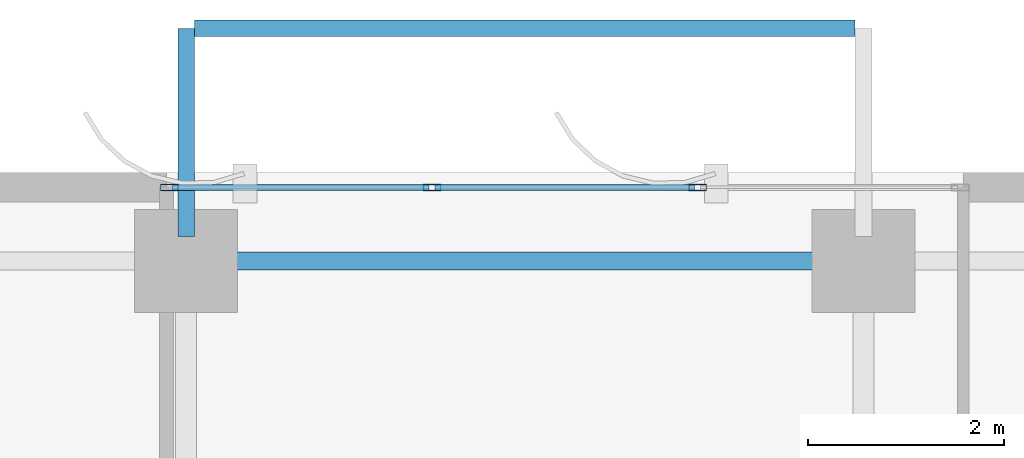
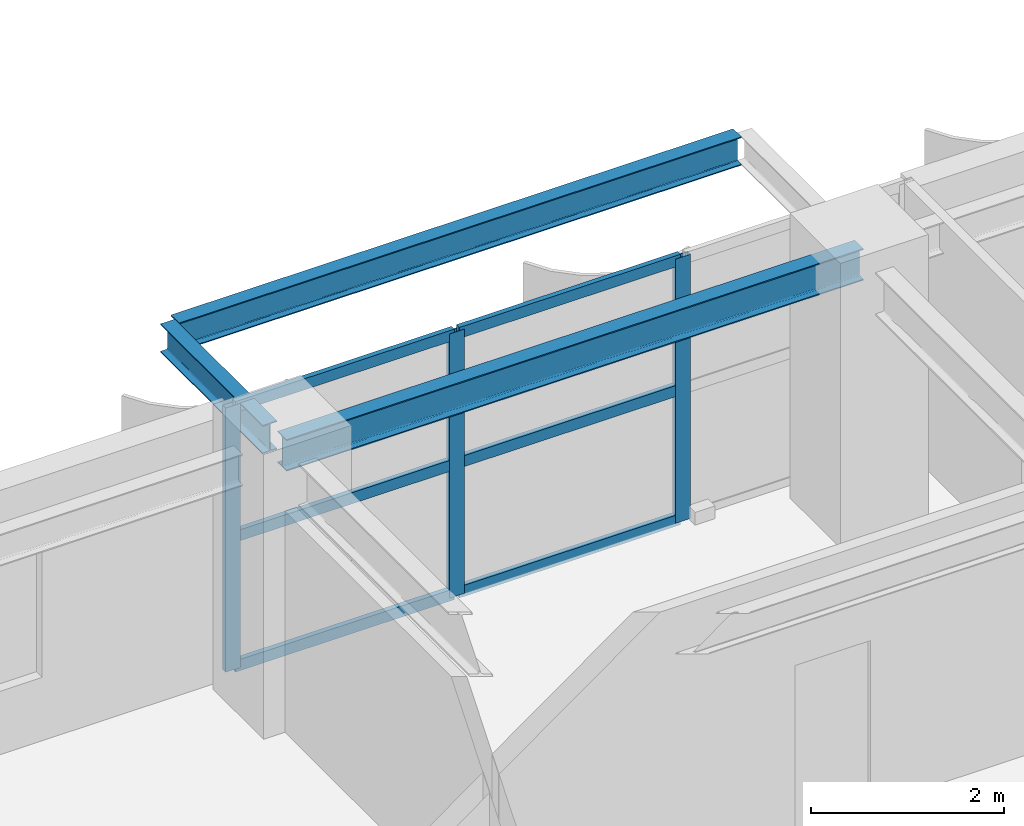
# One storey, part 11 of 23: 9 members, 3 beams, 1 element without a shape of its own.
"""IFC4 building model written with IfcOpenShell, lengths in metres."""

from ifc_helpers import new_model, si_unit, direction, frame, origin, origin_2d, place, context, subcontext, project, spatial, hollow_rectangle, i_section, extrude, source, transform, mapped, material, layer, layer_set, material_profile, profile_set, type_object, element, aggregate, save


model = new_model("IFC4")

# Units and contexts
model_context = context("Model", 3, precision=1e-05, world=origin(), true_north=direction((0.0, 1.0)))
body_context = subcontext(model_context, "Body", "Model", "MODEL_VIEW")
ifc_project = project(units=[si_unit("LENGTHUNIT", "METRE"), si_unit("AREAUNIT", "SQUARE_METRE"), si_unit("VOLUMEUNIT", "CUBIC_METRE"), si_unit("PLANEANGLEUNIT", "RADIAN"), si_unit("MASSUNIT", "GRAM", prefix="KILO")], contexts=[model_context])

# Site, building, storey
site_placement = place(None, origin())
site = spatial("IfcSite", under=ifc_project, at=site_placement, CompositionType="ELEMENT")
building_placement = place(site_placement, origin())
building = spatial("IfcBuilding", under=site, at=building_placement, Name="Khoralis Quay Care Tower", CompositionType="ELEMENT")
storey_placement = place(building_placement, frame((0.0, 0.0, 119.699951171875)))
storey = spatial("IfcBuildingStorey", under=building, at=storey_placement, Name="L31", CompositionType="ELEMENT", Elevation=119.699951171875)

# Beams
ifc_material_1 = material(Name="Steel S355", Category="steel")
ifc_material_profile_1 = material_profile(ifc_material_1, i_section(OverallWidth=0.179931640625, OverallDepth=0.39990234375, WebThickness=0.008544921875, FlangeThickness=0.013427734375, FilletRadius=0.02099609375, at=origin_2d()), Name="Steel S355")
ifc_profile_set_1 = profile_set([ifc_material_profile_1], Name="Steel S355")
beam_type_1 = type_object("IfcBeamType", Name="BM-IPE400", PredefinedType="SPANDREL", material=ifc_profile_set_1)
shared_shape_1 = source(origin(), body_context, "Body", "SweptSolid", [
    extrude(i_section(OverallWidth=0.179931640625, OverallDepth=0.39990234375, WebThickness=0.008544921875, FlangeThickness=0.013427734375, FilletRadius=0.02099609375, at=origin_2d()), origin(), (0.0, 0.0, 1.0), 6.89990234375),
])
beam_1_placement = place(storey_placement, frame((17.10009765625, 44.10009765625, 3.14013671875), z_axis=(1.0, 0.0, 0.0), x_axis=(0.0, 1.0, 0.0)))
element("IfcBeam", 1, at=beam_1_placement, inside=storey, type_object=beam_type_1, Name="BM-TSP-L31-08", PredefinedType="SPANDREL", context=body_context, shape_type="MappedRepresentation", body=[
    mapped(shared_shape_1, transform((0.0, 0.0, 0.0), scale=1.0)),
])
ifc_material_profile_2 = material_profile(ifc_material_1, i_section(OverallWidth=0.169921875, OverallDepth=0.360107421875, WebThickness=0.008056640625, FlangeThickness=0.0126953125, FilletRadius=0.01806640625, at=origin_2d()), Name="Steel S355")
ifc_profile_set_2 = profile_set([ifc_material_profile_2], Name="Steel S355")
beam_type_2 = type_object("IfcBeamType", Name="BM-IPE360", PredefinedType="SPANDREL", material=ifc_profile_set_2)
shared_shape_2 = source(origin(), body_context, "Body", "SweptSolid", [
    extrude(i_section(OverallWidth=0.169921875, OverallDepth=0.360107421875, WebThickness=0.008056640625, FlangeThickness=0.0126953125, FilletRadius=0.01806640625, at=origin_2d()), origin(), (0.0, 0.0, 1.0), 2.119873046875),
])
beam_2_placement = place(storey_placement, frame((17.10009765625, 44.35009765625, 3.1640625), z_axis=(0.0, 1.0, 0.0), x_axis=(-1.0, 0.0, 0.0)))
element("IfcBeam", 2, at=beam_2_placement, inside=storey, type_object=beam_type_2, Name="L32 Balcony Cantilever Outrigger Beam 1", PredefinedType="SPANDREL", context=body_context, shape_type="MappedRepresentation", body=[
    mapped(shared_shape_2, transform((0.0, 0.0, 0.0), scale=1.0)),
])
shared_shape_3 = source(origin(), body_context, "Body", "SweptSolid", [
    extrude(i_section(OverallWidth=0.169921875, OverallDepth=0.360107421875, WebThickness=0.008056640625, FlangeThickness=0.0126953125, FilletRadius=0.01806640625, at=origin_2d()), origin(), (0.0, 0.0, 1.0), 6.72412109375),
])
beam_3_placement = place(storey_placement, frame((17.18798828125, 46.469970703125, 3.1640625), z_axis=(1.0, 0.0, 0.0), x_axis=(0.0, 1.0, 0.0)))
element("IfcBeam", 3, at=beam_3_placement, inside=storey, type_object=beam_type_2, Name="L32 Balcony Edge Spandrel Beam P1E10", PredefinedType="SPANDREL", context=body_context, shape_type="MappedRepresentation", body=[
    mapped(shared_shape_3, transform((0.0, 0.0, 0.0), scale=1.0)),
])

# Curtain wall, members
ifc_material_2 = material(Name="Pale anodised aluminium", Category="aluminium")
ifc_layer = layer(ifc_material_2, 0.169921875)
ifc_layer_set = layer_set([ifc_layer], Name="Pale anodised aluminium")
curtain_wall_type = type_object("IfcCurtainWallType", Name="CW-SYS-Z2", PredefinedType="NOTDEFINED", material=ifc_layer_set)
curtain_wall_placement = place(storey_placement, origin())
curtain_wall = element("IfcCurtainWall", 4, at=curtain_wall_placement, inside=storey, type_object=curtain_wall_type, Name="L31 Unitised Curtain Wall CW-L31-P1-E10", PredefinedType="NOTDEFINED")
ifc_material_profile_3 = material_profile(ifc_material_2, hollow_rectangle(XDim=0.06494140625, YDim=0.179931640625, WallThickness=0.00390625, at=origin_2d()), Name="Pale anodised aluminium")
ifc_profile_set_3 = profile_set([ifc_material_profile_3], Name="Pale anodised aluminium")
member_type_1 = type_object("IfcMemberType", Name="CW-MUL-180", PredefinedType="MULLION", material=ifc_profile_set_3)
shared_shape_4 = source(origin(), body_context, "Body", "SweptSolid", [
    extrude(hollow_rectangle(XDim=0.06494140625, YDim=0.179931640625, WallThickness=0.00390625, at=origin_2d()), origin(), (0.0, 0.0, 1.0), 3.340087890625),
])
member_1_placement = place(storey_placement, frame((22.311279296875, 44.85009765625, 0.0), z_axis=(0.0, 0.0, 1.0), x_axis=(0.0, -1.0, 0.0)))
member_1 = element("IfcMember", 5, at=member_1_placement, type_object=member_type_1, Name="CW2 mullion 2", PredefinedType="MULLION", context=body_context, shape_type="MappedRepresentation", body=[
    mapped(shared_shape_4, transform((0.0, 0.0, 0.0), scale=1.0)),
])
member_2_placement = place(storey_placement, frame((19.605712890625, 44.85009765625, 0.0), z_axis=(0.0, 0.0, 1.0), x_axis=(0.0, -1.0, 0.0)))
member_2 = element("IfcMember", 6, at=member_2_placement, type_object=member_type_1, Name="CW2 mullion 3", PredefinedType="MULLION", context=body_context, shape_type="MappedRepresentation", body=[
    mapped(shared_shape_4, transform((0.0, 0.0, 0.0), scale=1.0)),
])
member_3_placement = place(storey_placement, frame((16.929931640625, 44.85009765625, 0.0), z_axis=(0.0, 0.0, 1.0), x_axis=(0.0, -1.0, 0.0)))
member_3 = element("IfcMember", 7, at=member_3_placement, type_object=member_type_1, Name="CW2 mullion 4", PredefinedType="MULLION", context=body_context, shape_type="MappedRepresentation", body=[
    mapped(shared_shape_4, transform((0.0, 0.0, 0.0), scale=1.0)),
])
ifc_material_profile_4 = material_profile(ifc_material_2, hollow_rectangle(XDim=0.06005859375, YDim=0.139892578125, WallThickness=0.00390625, at=origin_2d()), Name="Pale anodised aluminium")
ifc_profile_set_4 = profile_set([ifc_material_profile_4], Name="Pale anodised aluminium")
member_type_2 = type_object("IfcMemberType", Name="CW-TRN-140", PredefinedType="USERDEFINED", material=ifc_profile_set_4)
shared_shape_5 = source(origin(), body_context, "Body", "SweptSolid", [
    extrude(hollow_rectangle(XDim=0.06005859375, YDim=0.139892578125, WallThickness=0.00390625, at=origin_2d()), origin(), (0.0, 0.0, 1.0), 2.61572265625),
])
member_4_placement = place(storey_placement, frame((19.57568359375, 44.85009765625, 0.030029296875), z_axis=(-1.0, 0.0, 0.0), x_axis=(0.0, -1.0, 0.0)))
member_4 = element("IfcMember", 8, at=member_4_placement, type_object=member_type_2, Name="CW2 transom 3.1", ObjectType="TRANSOM", PredefinedType="USERDEFINED", context=body_context, shape_type="MappedRepresentation", body=[
    mapped(shared_shape_5, transform((0.0, 0.0, 0.0), scale=1.0)),
])
member_5_placement = place(storey_placement, frame((19.57568359375, 44.85009765625, 1.670166015625), z_axis=(-1.0, 0.0, 0.0), x_axis=(0.0, -1.0, 0.0)))
member_5 = element("IfcMember", 9, at=member_5_placement, type_object=member_type_2, Name="CW2 transom 3.2", ObjectType="TRANSOM", PredefinedType="USERDEFINED", context=body_context, shape_type="MappedRepresentation", body=[
    mapped(shared_shape_5, transform((0.0, 0.0, 0.0), scale=1.0)),
])
member_6_placement = place(storey_placement, frame((19.57568359375, 44.85009765625, 3.31005859375), z_axis=(-1.0, 0.0, 0.0), x_axis=(0.0, -1.0, 0.0)))
member_6 = element("IfcMember", 10, at=member_6_placement, type_object=member_type_2, Name="CW2 transom 3.3", ObjectType="TRANSOM", PredefinedType="USERDEFINED", context=body_context, shape_type="MappedRepresentation", body=[
    mapped(shared_shape_5, transform((0.0, 0.0, 0.0), scale=1.0)),
])
shared_shape_6 = source(origin(), body_context, "Body", "SweptSolid", [
    extrude(hollow_rectangle(XDim=0.06005859375, YDim=0.139892578125, WallThickness=0.00390625, at=origin_2d()), origin(), (0.0, 0.0, 1.0), 2.6455078125),
])
member_7_placement = place(storey_placement, frame((22.28125, 44.85009765625, 0.030029296875), z_axis=(-1.0, 0.0, 0.0), x_axis=(0.0, -1.0, 0.0)))
member_7 = element("IfcMember", 11, at=member_7_placement, type_object=member_type_2, Name="CW2 transom 2.1", ObjectType="TRANSOM", PredefinedType="USERDEFINED", context=body_context, shape_type="MappedRepresentation", body=[
    mapped(shared_shape_6, transform((0.0, 0.0, 0.0), scale=1.0)),
])
member_8_placement = place(storey_placement, frame((22.28125, 44.85009765625, 1.670166015625), z_axis=(-1.0, 0.0, 0.0), x_axis=(0.0, -1.0, 0.0)))
member_8 = element("IfcMember", 12, at=member_8_placement, type_object=member_type_2, Name="CW2 transom 2.2", ObjectType="TRANSOM", PredefinedType="USERDEFINED", context=body_context, shape_type="MappedRepresentation", body=[
    mapped(shared_shape_6, transform((0.0, 0.0, 0.0), scale=1.0)),
])
member_9_placement = place(storey_placement, frame((22.28125, 44.85009765625, 3.31005859375), z_axis=(-1.0, 0.0, 0.0), x_axis=(0.0, -1.0, 0.0)))
member_9 = element("IfcMember", 13, at=member_9_placement, type_object=member_type_2, Name="CW2 transom 2.3", ObjectType="TRANSOM", PredefinedType="USERDEFINED", context=body_context, shape_type="MappedRepresentation", body=[
    mapped(shared_shape_6, transform((0.0, 0.0, 0.0), scale=1.0)),
])
aggregate(curtain_wall, [member_1, member_2, member_3, member_7, member_8, member_9, member_4, member_5, member_6])

save(model, "model.ifc")
